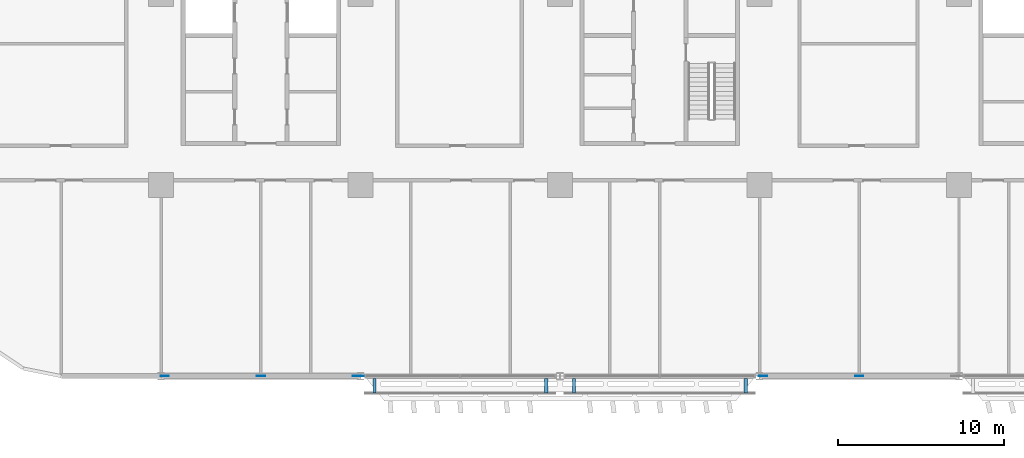
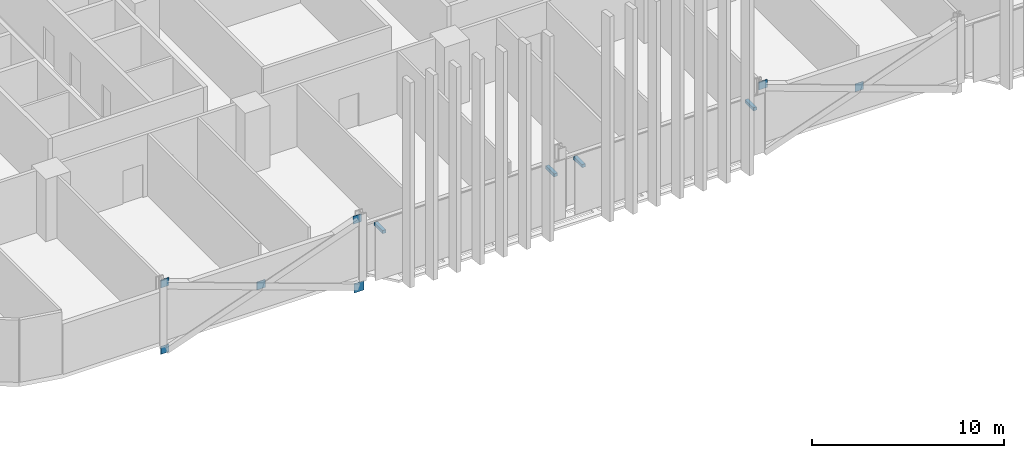
# One storey, part 17 of 29: 11 discrete accessories.
"""IFC4 building model written with IfcOpenShell, lengths in metres."""

from ifc_helpers import new_model, si_unit, direction, frame, origin, origin_2d, place, context, subcontext, project, spatial, rectangle, extrude, material, layer, layer_set, type_object, element, save


model = new_model("IFC4")

# Units and contexts
model_context = context("Model", 3, precision=1e-05, world=origin(), true_north=direction((0.0, 1.0)))
body_context = subcontext(model_context, "Body", "Model", "MODEL_VIEW")
ifc_project = project(units=[si_unit("LENGTHUNIT", "METRE"), si_unit("AREAUNIT", "SQUARE_METRE"), si_unit("VOLUMEUNIT", "CUBIC_METRE"), si_unit("PLANEANGLEUNIT", "RADIAN"), si_unit("MASSUNIT", "GRAM", prefix="KILO")], contexts=[model_context])

# Site, building, storey
site_placement = place(None, origin())
site = spatial("IfcSite", under=ifc_project, at=site_placement, CompositionType="ELEMENT")
building_placement = place(site_placement, origin())
building = spatial("IfcBuilding", under=site, at=building_placement, Name="Mahtab Terrace Research Tower", CompositionType="ELEMENT")
storey_placement = place(building_placement, frame((0.0, 0.0, 46.0)))
storey = spatial("IfcBuildingStorey", under=building, at=storey_placement, Name="L10", CompositionType="ELEMENT", Elevation=46.0)

# Discrete accessories
ifc_material_1 = material(Name="Black anodised aluminium", Category="aluminium")
discrete_accessory_type_1 = type_object("IfcDiscreteAccessoryType", Name="Facade bracket", PredefinedType="BRACKET", material=ifc_material_1)
for number, where, z_axis, x_axis, name in (
    (1, (-17.162109375, -23.5625, 2.9033203125), (0.0, 0.0, 1.0), (1.0, 0.0, 0.0), "Screen bracket Girih screen L10 S26"),
    (2, (-6.837890625, -23.5625, 2.9033203125), (0.0, 0.0, 1.0), (1.0, 0.0, 0.0), "Screen bracket Girih screen L10 S26"),
    (3, (-5.162109375, -23.5625, 2.9033203125), (0.0, 0.0, 1.0), (1.0, 0.0, 0.0), "Screen bracket Girih screen L10 S27"),
    (4, (5.162109375, -23.5625, 2.9033203125), (0.0, 0.0, 1.0), (1.0, 0.0, 0.0), "Screen bracket Girih screen L10 S27"),
):
    element("IfcDiscreteAccessory", number, at=place(storey_placement, frame(where, z_axis=z_axis, x_axis=x_axis)), inside=storey, type_object=discrete_accessory_type_1, Name=name, PredefinedType="BRACKET", context=body_context, shape_type="SweptSolid", body=[
        extrude(rectangle(XDim=0.199951171875, YDim=0.875, at=origin_2d()), origin(), (0.0, 0.0, 1.0), 0.199951171875),
    ])
ifc_material_2 = material(Name="Steel ASTM A992 Gr 50", Category="steel")
ifc_layer_1 = layer(ifc_material_2, 0.030029296875)
ifc_layer_set_1 = layer_set([ifc_layer_1], Name="Gusset plate 500x500x30")
discrete_accessory_type_2 = type_object("IfcDiscreteAccessoryType", Name="Gusset plate 500x500x30", PredefinedType="USERDEFINED", material=ifc_layer_set_1)
for number, where, z_axis, x_axis, name in (
    (5, (-29.787841796875, -23.0, -0.892333984375), (0.0, 0.0, 1.0), (1.0, 0.0, 0.0), "Gusset plate"),
    (6, (-29.787841796875, -23.0, 3.33154296875), (0.0, 0.0, 1.0), (1.0, 0.0, 0.0), "Gusset plate"),
    (7, (-24.0, -23.0, 1.181396484375), (0.0, 0.0, 1.0), (1.0, 0.0, 0.0), "Gusset plate"),
    (8, (-18.212158203125, -23.0, 3.33154296875), (0.0, 0.0, 1.0), (1.0, 0.0, 0.0), "Gusset plate"),
    (9, (6.212158203125, -23.0, 3.33154296875), (0.0, 0.0, 1.0), (1.0, 0.0, 0.0), "Gusset plate"),
    (10, (12.0, -23.0, 1.181396484375), (0.0, 0.0, 1.0), (1.0, 0.0, 0.0), "Gusset plate"),
):
    element("IfcDiscreteAccessory", number, at=place(storey_placement, frame(where, z_axis=z_axis, x_axis=x_axis)), inside=storey, type_object=discrete_accessory_type_2, Name=name, ObjectType="GUSSET PLATE", PredefinedType="USERDEFINED", context=body_context, shape_type="SweptSolid", body=[
        extrude(rectangle(XDim=0.5, YDim=0.030029296875, at=origin_2d()), origin(), (0.0, 0.0, 1.0), 0.5),
    ])
ifc_layer_2 = layer(ifc_material_2, 0.030029296875)
ifc_layer_set_2 = layer_set([ifc_layer_2], Name="Gusset plate 600x600x30")
discrete_accessory_type_3 = type_object("IfcDiscreteAccessoryType", Name="Gusset plate 600x600x30", PredefinedType="USERDEFINED", material=ifc_layer_set_2)
discrete_accessory_placement = place(storey_placement, frame((-18.10595703125, -23.0, -1.070556640625), z_axis=(0.0, 0.0, 1.0), x_axis=(1.0, 0.0, 0.0)))
element("IfcDiscreteAccessory", 11, at=discrete_accessory_placement, inside=storey, type_object=discrete_accessory_type_3, Name="Gusset plate", ObjectType="GUSSET PLATE", PredefinedType="USERDEFINED", context=body_context, shape_type="SweptSolid", body=[
    extrude(rectangle(XDim=0.60009765625, YDim=0.030029296875, at=origin_2d()), origin(), (0.0, 0.0, 1.0), 0.60009765625),
])

save(model, "model.ifc")
